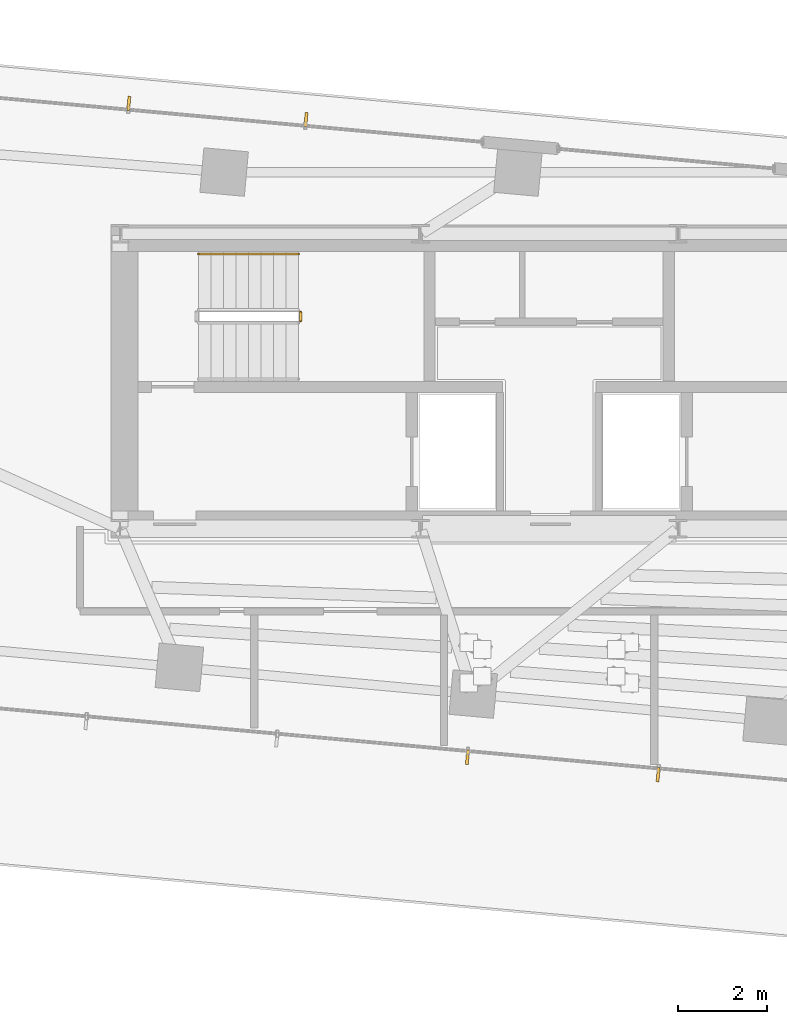
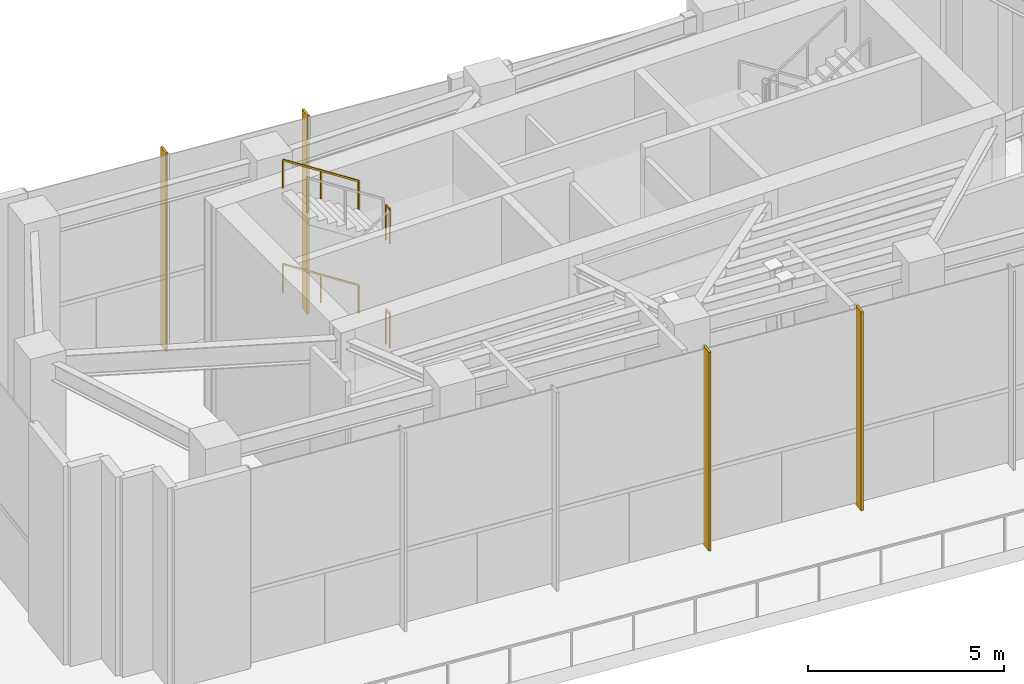
# One storey, part 16 of 18: 4 railings, 4 shading devices.
"""IFC4 building model written with IfcOpenShell, lengths in metres."""

from ifc_helpers import new_model, si_unit, direction, frame, origin, origin_2d, place, context, subcontext, project, spatial, rectangle, extrude, source, transform, mapped, material, type_object, type_shapes, element, save


model = new_model("IFC4")

# Units and contexts
model_context = context("Model", 3, precision=1e-05, world=origin(), true_north=direction((0.0, 1.0)))
body_context = subcontext(model_context, "Body", "Model", "MODEL_VIEW")
ifc_project = project(units=[si_unit("LENGTHUNIT", "METRE"), si_unit("AREAUNIT", "SQUARE_METRE"), si_unit("VOLUMEUNIT", "CUBIC_METRE"), si_unit("PLANEANGLEUNIT", "RADIAN"), si_unit("MASSUNIT", "GRAM", prefix="KILO")], contexts=[model_context])

# Site, building, storey
site_placement = place(None, origin())
site = spatial("IfcSite", under=ifc_project, at=site_placement, CompositionType="ELEMENT")
building_placement = place(site_placement, origin())
building = spatial("IfcBuilding", under=site, at=building_placement, Name="Astriad Promenade Condominiums", CompositionType="ELEMENT")
storey_placement = place(building_placement, frame((0.0, 0.0, 264.300048828125)))
storey = spatial("IfcBuildingStorey", under=building, at=storey_placement, Name="L76", CompositionType="ELEMENT", Elevation=264.300048828125)

# Shading devices
ifc_material_1 = material(Name="Anodised aluminium 6063-T6 Black Fin", Category="aluminium")
shading_device_type = type_object("IfcShadingDeviceType", Name="FIN-BLACK-260", PredefinedType="USERDEFINED", material=ifc_material_1)
shared_shape_1 = source(origin(), body_context, "Body", "SweptSolid", [
    extrude(rectangle(XDim=0.06494140625, YDim=0.320068359375, at=origin_2d()), origin(), (0.0, 0.0, 1.0), 6.199951171875),
])
type_shapes(shading_device_type, [shared_shape_1])
for number, where, z_axis, x_axis, name in (
    (1, (26.594970703125, 26.915283203125, 0.0), (0.0, 0.0, 1.0), (0.995884398616, -0.090632580198, 0.0), "CW-LNT-L76-08-1-FIN-01"),
    (2, (30.557861328125, 26.5546875, 0.0), (0.0, 0.0, 1.0), (0.995884398616, -0.090632580198, 0.0), "CW-LNT-L76-08-1-FIN-02"),
    (3, (38.436767578125, 11.900390625, 0.0), (0.0, 0.0, 1.0), (-0.995884398616, 0.090632580198, 0.0), "CW-LNT-L76-18-1-FIN-02"),
    (4, (34.1708984375, 12.288818359375, 0.0), (0.0, 0.0, 1.0), (-0.995884398616, 0.090632580198, 0.0), "CW-LNT-L76-18-1-FIN-03"),
):
    element("IfcShadingDevice", number, at=place(storey_placement, frame(where, z_axis=z_axis, x_axis=x_axis)), inside=storey, type_object=shading_device_type, Name=name, ObjectType="FIN", PredefinedType="USERDEFINED", context=body_context, shape_type="MappedRepresentation", body=[
        mapped(shared_shape_1, transform((0.0, 0.0, 0.0), scale=1.0)),
    ])

# Railings
ifc_material_2 = material(Name="Painted Galvanised Steel Guardrail", Category="steel")
railing_type_1 = type_object("IfcRailingType", Name="GRD-STAIR-1100", PredefinedType="GUARDRAIL", material=ifc_material_2)
shared_shape_2 = source(origin(), body_context, "Body", "SweptSolid", [
    extrude(rectangle(XDim=0.048095703125, YDim=0.048095703125, at=origin_2d()), frame((0.0, 0.0, 1.076171875), z_axis=(0.0, 1.0, 0.0), x_axis=(-1.0, 0.0, 0.0)), (0.0, 0.0, 1.0), 0.199951171875),
    extrude(rectangle(XDim=0.0419921875, YDim=0.0419921875, at=origin_2d()), origin(), (0.0, 0.0, 1.0), 1.052001953125),
    extrude(rectangle(XDim=0.0419921875, YDim=0.0419921875, at=origin_2d()), frame((0.0, 0.199951171875, 0.0)), (0.0, 0.0, 1.0), 1.052001953125),
])
type_shapes(railing_type_1, [shared_shape_2])
for number, where, name in (
    (5, (30.43994140625, 22.050048828125, 1.625), "L76 ST-1 stair guard 2"),
    (6, (30.43994140625, 22.050048828125, 4.875), "L76 ST-1 stair guard 6"),
):
    element("IfcRailing", number, at=place(storey_placement, frame(where)), inside=storey, type_object=railing_type_1, Name=name, PredefinedType="GUARDRAIL", context=body_context, shape_type="MappedRepresentation", body=[
        mapped(shared_shape_2, transform((0.0, 0.0, 0.0), scale=1.0)),
    ])
ifc_material_3 = material(Name="Brushed Stainless Steel Handrail", Category="steel")
railing_type_2 = type_object("IfcRailingType", Name="HRL-STAIR-920", PredefinedType="HANDRAIL", material=ifc_material_3)
shared_shape_3 = source(origin(), body_context, "Body", "SweptSolid", [
    extrude(rectangle(XDim=0.048095703125, YDim=0.048095703125, at=origin_2d()), frame((0.0, 0.0, 0.8759765625), z_axis=(-0.840394893359, 0.0, 0.541974559565), x_axis=(0.0, -1.0, 0.0)), (0.0, 0.0, 1.0), 2.665283203125),
    extrude(rectangle(XDim=0.0419921875, YDim=0.0419921875, at=origin_2d()), origin(), (0.0, 0.0, 1.0), 0.851806640625),
    extrude(rectangle(XDim=0.0419921875, YDim=0.0419921875, at=origin_2d()), frame((-1.1201171875, 0.0, 0.72216796875)), (0.0, 0.0, 1.0), 0.851806640625),
    extrude(rectangle(XDim=0.0419921875, YDim=0.0419921875, at=origin_2d()), frame((-2.239990234375, 0.0, 1.444580078125)), (0.0, 0.0, 1.0), 0.851806640625),
])
type_shapes(railing_type_2, [shared_shape_3])
for number, where, name in (
    (7, (30.389892578125, 23.550048828125, 1.805419921875), "L76 ST-1 stair handrail 2"),
    (8, (30.389892578125, 23.550048828125, 5.055419921875), "L76 ST-1 stair handrail 4"),
):
    element("IfcRailing", number, at=place(storey_placement, frame(where)), inside=storey, type_object=railing_type_2, Name=name, PredefinedType="HANDRAIL", context=body_context, shape_type="MappedRepresentation", body=[
        mapped(shared_shape_3, transform((0.0, 0.0, 0.0), scale=1.0)),
    ])

save(model, "model.ifc")
